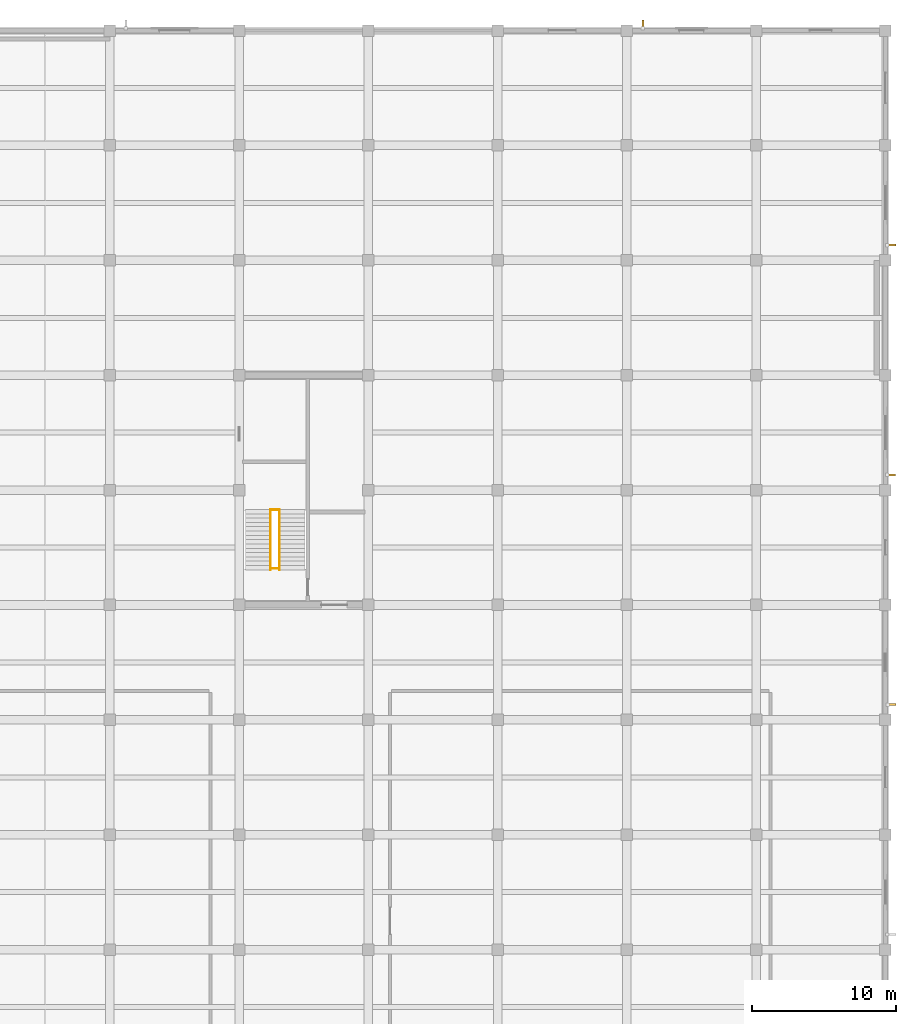
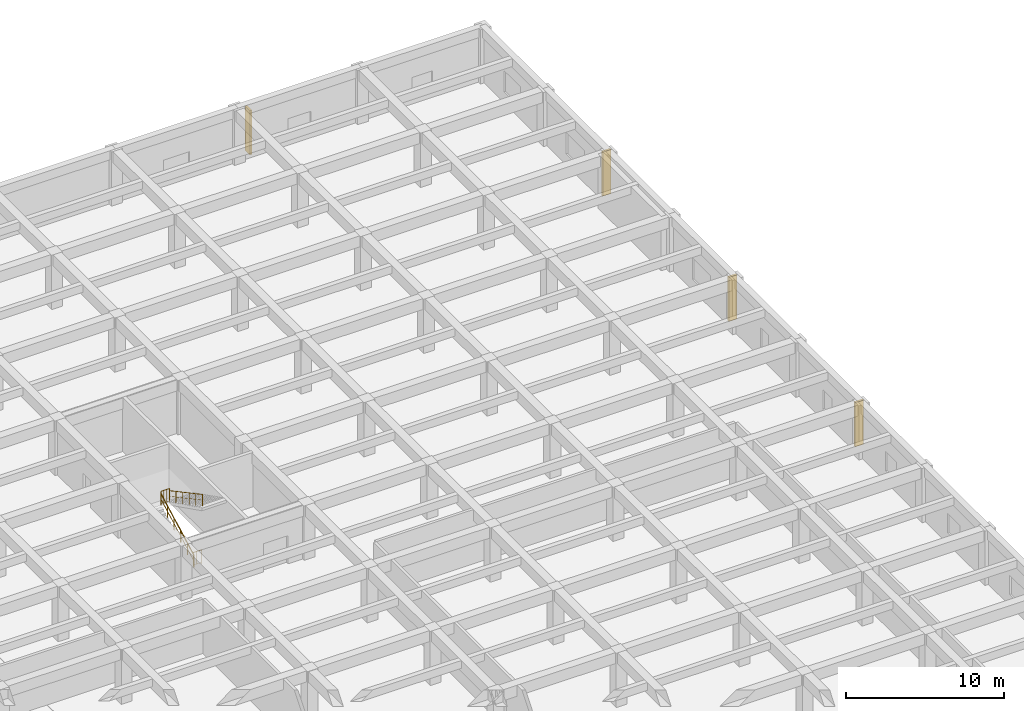
# One storey, part 32 of 32: 4 railings, 4 shading devices.
"""IFC4 building model written with IfcOpenShell, lengths in metres."""

from ifc_helpers import new_model, si_unit, direction, frame, frame_2d, origin, origin_2d, place, context, subcontext, project, spatial, rectangle, circle, extrude, material, layer, layer_set, type_object, element, save


model = new_model("IFC4")

# Units and contexts
model_context = context("Model", 3, precision=1e-05, world=origin(), true_north=direction((0.0, 1.0)))
body_context = subcontext(model_context, "Body", "Model", "MODEL_VIEW")
ifc_project = project(units=[si_unit("LENGTHUNIT", "METRE"), si_unit("AREAUNIT", "SQUARE_METRE"), si_unit("VOLUMEUNIT", "CUBIC_METRE"), si_unit("PLANEANGLEUNIT", "RADIAN"), si_unit("MASSUNIT", "GRAM", prefix="KILO")], contexts=[model_context])

# Site, building, storey
site_placement = place(None, origin())
site = spatial("IfcSite", under=ifc_project, at=site_placement, CompositionType="ELEMENT")
building_placement = place(site_placement, origin())
building = spatial("IfcBuilding", under=site, at=building_placement, Name="Zaverband Oceanarium and Marine Research Institute", CompositionType="ELEMENT")
storey_placement = place(building_placement, frame((0.0, 0.0, 13.5)))
storey = spatial("IfcBuildingStorey", under=building, at=storey_placement, Name="L03", CompositionType="ELEMENT", Elevation=13.5)

# Railings
ifc_material_1 = material(Name="Steel S355", Category="steel")
ifc_layer_1 = layer(ifc_material_1, 0.06005859375, Name="Steel S355")
ifc_layer_set_1 = layer_set([ifc_layer_1], Name="Steel S355")
railing_type_1 = type_object("IfcRailingType", Name="GRD-1100", PredefinedType="BALUSTRADE", material=ifc_layer_set_1)
for number, where, name in (
    (1, (137.18994140625, 86.6298828125, 2.25), "1100 mm steel post-and-baluster safety guard GRD-1100"),
    (2, (137.18994140625, 82.530029296875, 0.0), "1100 mm steel post-and-baluster safety guard GRD-1100"),
):
    element("IfcRailing", number, at=place(storey_placement, frame(where)), inside=storey, type_object=railing_type_1, Name=name, PredefinedType="BALUSTRADE", context=body_context, shape_type="SweptSolid", body=[
        extrude(circle(Radius=0.02392578125, at=origin_2d()), frame((0.0, 0.0, 1.076171875), z_axis=(1.0, 0.0, 0.0), x_axis=(0.0, 1.0, 0.0)), (0.0, 0.0, 1.0), 0.6201171875),
        extrude(circle(Radius=0.009033203125, at=origin_2d()), frame((0.0, 0.0, 0.10009765625), z_axis=(1.0, 0.0, 0.0), x_axis=(0.0, 1.0, 0.0)), (0.0, 0.0, 1.0), 0.6201171875),
        extrude(circle(Radius=0.009033203125, at=origin_2d()), frame((0.206787109375, 0.0, 0.10009765625)), (0.0, 0.0, 1.0), 0.951904296875),
        extrude(circle(Radius=0.009033203125, at=origin_2d()), frame((0.413330078125, 0.0, 0.10009765625)), (0.0, 0.0, 1.0), 0.951904296875),
        extrude(circle(Radius=0.02099609375, at=origin_2d()), origin(), (0.0, 0.0, 1.0), 1.052001953125),
        extrude(circle(Radius=0.02099609375, at=origin_2d()), frame((0.6201171875, 0.0, 0.0)), (0.0, 0.0, 1.0), 1.052001953125),
    ])
ifc_layer_2 = layer(ifc_material_1, 0.050048828125, Name="Steel S355")
ifc_layer_set_2 = layer_set([ifc_layer_2], Name="Steel S355")
railing_type_2 = type_object("IfcRailingType", Name="HR-920", PredefinedType="HANDRAIL", material=ifc_layer_set_2)
railing_1_placement = place(storey_placement, frame((137.18994140625, 82.449951171875, 0.0)))
element("IfcRailing", 3, at=railing_1_placement, inside=storey, type_object=railing_type_2, Name="920 mm continuous tubular stair and ramp handrail HR-920", PredefinedType="HANDRAIL", context=body_context, shape_type="SweptSolid", body=[
    extrude(circle(Radius=0.02392578125, at=origin_2d()), frame((0.0, 0.0, 0.89599609375), z_axis=(0.0, 0.881477684796, 0.472225678258), x_axis=(-1.0, 0.0, 0.0)), (0.0, 0.0, 1.0), 4.7646484375),
    extrude(circle(Radius=0.009033203125, at=origin_2d()), frame((0.0, 0.0, 0.4599609375), z_axis=(0.0, 0.881477684796, 0.472225678258), x_axis=(-1.0, 0.0, 0.0)), (0.0, 0.0, 1.0), 4.7646484375),
    extrude(circle(Radius=0.02099609375, at=origin_2d()), origin(), (0.0, 0.0, 1.0), 0.871826171875),
    extrude(circle(Radius=0.02099609375, at=origin_2d()), frame((0.0, 0.840087890625, 0.449951171875)), (0.0, 0.0, 1.0), 0.871826171875),
    extrude(circle(Radius=0.02099609375, at=origin_2d()), frame((0.0, 1.679931640625, 0.89990234375)), (0.0, 0.0, 1.0), 0.871826171875),
    extrude(circle(Radius=0.02099609375, at=origin_2d()), frame((0.0, 2.52001953125, 1.35009765625)), (0.0, 0.0, 1.0), 0.871826171875),
    extrude(circle(Radius=0.02099609375, at=origin_2d()), frame((0.0, 3.35986328125, 1.800048828125)), (0.0, 0.0, 1.0), 0.871826171875),
    extrude(circle(Radius=0.02099609375, at=origin_2d()), frame((0.0, 4.199951171875, 2.25)), (0.0, 0.0, 1.0), 0.871826171875),
])
railing_2_placement = place(storey_placement, frame((137.81005859375, 86.64990234375, 2.25)))
element("IfcRailing", 4, at=railing_2_placement, inside=storey, type_object=railing_type_2, Name="920 mm continuous tubular stair and ramp handrail HR-920", PredefinedType="HANDRAIL", context=body_context, shape_type="SweptSolid", body=[
    extrude(circle(Radius=0.02392578125, at=origin_2d()), frame((0.0, 0.0, 0.89599609375), z_axis=(0.0, -0.881477684796, 0.472225678258), x_axis=(1.0, 0.0, 0.0)), (0.0, 0.0, 1.0), 4.7646484375),
    extrude(circle(Radius=0.009033203125, at=origin_2d()), frame((0.0, 0.0, 0.4599609375), z_axis=(0.0, -0.881477684796, 0.472225678258), x_axis=(1.0, 0.0, 0.0)), (0.0, 0.0, 1.0), 4.7646484375),
    extrude(circle(Radius=0.02099609375, at=origin_2d()), origin(), (0.0, 0.0, 1.0), 0.871826171875),
    extrude(circle(Radius=0.02099609375, at=origin_2d()), frame((0.0, -0.840087890625, 0.449951171875)), (0.0, 0.0, 1.0), 0.871826171875),
    extrude(circle(Radius=0.02099609375, at=origin_2d()), frame((0.0, -1.679931640625, 0.89990234375)), (0.0, 0.0, 1.0), 0.871826171875),
    extrude(circle(Radius=0.02099609375, at=origin_2d()), frame((0.0, -2.52001953125, 1.35009765625)), (0.0, 0.0, 1.0), 0.871826171875),
    extrude(circle(Radius=0.02099609375, at=origin_2d()), frame((0.0, -3.35986328125, 1.800048828125)), (0.0, 0.0, 1.0), 0.871826171875),
    extrude(circle(Radius=0.02099609375, at=origin_2d()), frame((0.0, -4.199951171875, 2.25)), (0.0, 0.0, 1.0), 0.871826171875),
])

# Shading devices
ifc_material_2 = material(Name="Concrete C40/50 precast brise-soleil", Category="concrete")
ifc_layer_3 = layer(ifc_material_2, 0.139892578125, Name="Concrete C40/50 precast brise-soleil")
ifc_layer_set_3 = layer_set([ifc_layer_3], Name="Concrete C40/50 precast brise-soleil")
shading_device_type = type_object("IfcShadingDeviceType", Name="SHD-FIN-600", PredefinedType="JALOUSIE", material=ifc_layer_set_3)
for number, where, z_axis, x_axis, name in (
    (5, (163.10498046875, 120.135009765625, 0.0), (0.0, 0.0, 1.0), (0.0, 1.0, 0.0), "600 mm vertical precast brise-soleil fin SHD-FIN-600"),
    (6, (180.135009765625, 73.054931640625, 0.0), (0.0, 0.0, 1.0), (1.0, 0.0, 0.0), "600 mm vertical precast brise-soleil fin SHD-FIN-600"),
):
    element("IfcShadingDevice", number, at=place(storey_placement, frame(where, z_axis=z_axis, x_axis=x_axis)), inside=storey, type_object=shading_device_type, Name=name, PredefinedType="JALOUSIE", context=body_context, shape_type="SweptSolid", body=[
        extrude(rectangle(XDim=0.60009765625, YDim=0.139892578125, at=frame_2d((0.300048828125, 0.0))), origin(), (0.0, 0.0, 1.0), 3.429931640625),
    ])
shading_device_1_placement = place(storey_placement, frame((180.112548828125, 89.054931640625, 0.0), z_axis=(0.0, 0.0, 1.0), x_axis=(1.0, 0.0, 0.0)))
element("IfcShadingDevice", 7, at=shading_device_1_placement, inside=storey, type_object=shading_device_type, Name="600 mm vertical precast brise-soleil fin SHD-FIN-600", PredefinedType="JALOUSIE", context=body_context, shape_type="SweptSolid", body=[
    extrude(rectangle(XDim=0.599853515625, YDim=0.139892578125, at=frame_2d((0.2998046875, 0.0))), origin(), (0.0, 0.0, 1.0), 3.429931640625),
])
shading_device_2_placement = place(storey_placement, frame((180.125, 105.054931640625, 0.0), z_axis=(0.0, 0.0, 1.0), x_axis=(1.0, 0.0, 0.0)))
element("IfcShadingDevice", 8, at=shading_device_2_placement, inside=storey, type_object=shading_device_type, Name="600 mm vertical precast brise-soleil fin SHD-FIN-600", PredefinedType="JALOUSIE", context=body_context, shape_type="SweptSolid", body=[
    extrude(rectangle(XDim=0.60009765625, YDim=0.139892578125, at=frame_2d((0.300048828125, 0.0))), origin(), (0.0, 0.0, 1.0), 3.429931640625),
])

save(model, "model.ifc")
